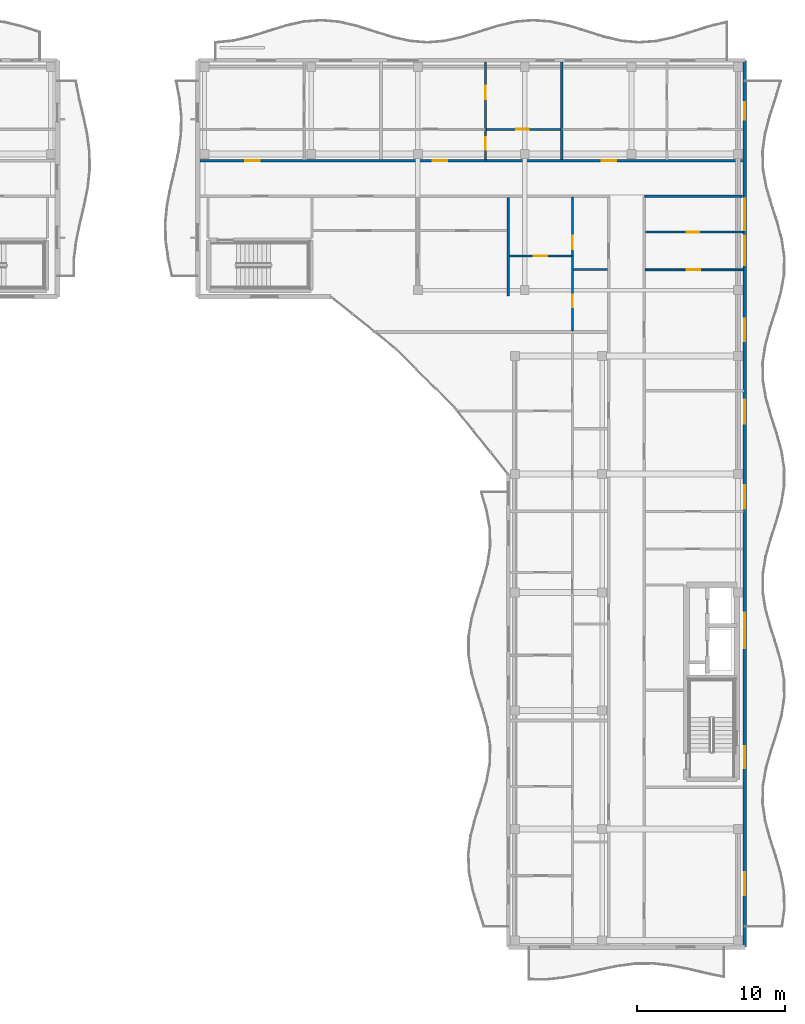
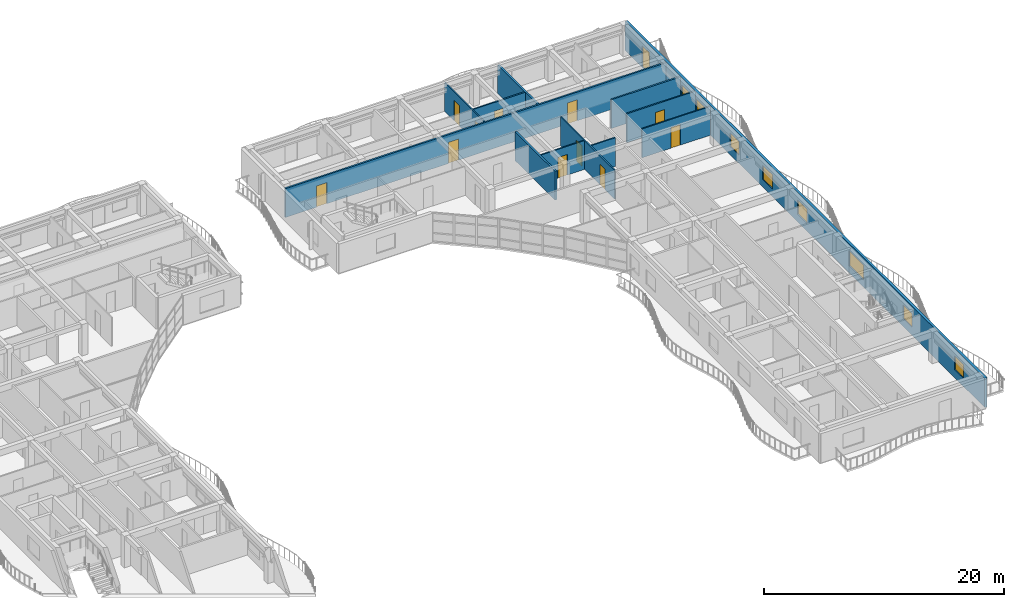
# One storey, part 46 of 76: 12 doors, 12 walls, 8 windows, 20 openings.
"""IFC4 building model written with IfcOpenShell, lengths in metres."""

import ifcopenshell
import ifcopenshell.guid

model = None  # the IFC model being written
_history = None  # IfcOwnerHistory: only IFC2X3 demands one
_inside = {}  # id of a spatial element -> (the spatial element, [elements in it])
_under = {}  # id of a project, library or spatial element -> (it, [spatial elements below it])
_declared = {}  # id of a project -> (the project, [libraries it declares])
_typed = {}  # id of a type object -> (the type object, [elements of that type])
_made_of = {}  # id of a material, layer set ... -> (it, [elements and type objects made of it])


def new_model(schema):
    """Start an empty IFC model of exactly this schema.

    Asked for "IFC4X3", IfcOpenShell would pick the latest addendum, in which some entities
    have other attributes; the version numbers below select the first issue.
    IFC2X3 requires an IfcOwnerHistory on every rooted entity: one is made here for all.
    """
    global model, _history
    if schema == "IFC4X3":
        model = ifcopenshell.file(schema_version=(4, 3, 0, 0))
    else:
        model = ifcopenshell.file(schema=schema)
    _inside.clear()
    _under.clear()
    _declared.clear()
    _typed.clear()
    _made_of.clear()
    _history = None
    if model.schema == "IFC2X3":
        org = make("IfcOrganization", Name="unknown")
        user = make(
            "IfcPersonAndOrganization",
            ThePerson=make("IfcPerson", FamilyName="unknown"),
            TheOrganization=org,
        )
        app = make(
            "IfcApplication",
            ApplicationDeveloper=org,
            Version="unknown",
            ApplicationFullName="unknown",
            ApplicationIdentifier="unknown",
        )
        _history = make(
            "IfcOwnerHistory",
            OwningUser=user,
            OwningApplication=app,
            ChangeAction="ADDED",
            CreationDate=0,
        )
    return model


def make(cls, **values):
    """One entity of the class cls with the attributes given. An attribute that is None is left unset."""
    return model.create_entity(
        cls, **{name: value for name, value in values.items() if value is not None}
    )


def rooted(cls, **values):
    """An entity with a GlobalId (a new one), such as an element, a storey or a relation."""
    return make(cls, GlobalId=ifcopenshell.guid.new(), OwnerHistory=_history, **values)


def si_unit(unit_type, name, prefix=None):
    """IfcSIUnit, for example si_unit("LENGTHUNIT", "METRE", prefix="MILLI")."""
    return make("IfcSIUnit", UnitType=unit_type, Prefix=prefix, Name=name)


def assignment(units):
    """IfcUnitAssignment: the units of a project."""
    return None if units is None else make("IfcUnitAssignment", Units=units)


def point(xyz):
    """IfcCartesianPoint."""
    return None if xyz is None else make("IfcCartesianPoint", Coordinates=xyz)


def direction(xyz):
    """IfcDirection."""
    return None if xyz is None else make("IfcDirection", DirectionRatios=xyz)


def frame(location, z_axis=None, x_axis=None):
    """IfcAxis2Placement3D, a coordinate frame: its origin and axes. An axis left out is left unset."""
    return make(
        "IfcAxis2Placement3D",
        Location=point(location),
        Axis=direction(z_axis),
        RefDirection=direction(x_axis),
    )


def frame_2d(location, x_axis=None):
    """IfcAxis2Placement2D, a coordinate frame in the plane: its origin and x axis."""
    return make(
        "IfcAxis2Placement2D", Location=point(location), RefDirection=direction(x_axis)
    )


def origin():
    """The frame at (0, 0, 0) with its axes left unset."""
    return frame((0.0, 0.0, 0.0))


def place(relative_to, where):
    """IfcLocalPlacement: puts the frame where relative to a parent placement (None: the world)."""
    return make(
        "IfcLocalPlacement", PlacementRelTo=relative_to, RelativePlacement=where
    )


def context(
    kind, dimensions, precision=None, world=None, true_north=None, identifier=None
):
    """IfcGeometricRepresentationContext, for example the 3D "Model" context."""
    return make(
        "IfcGeometricRepresentationContext",
        ContextIdentifier=identifier,
        ContextType=kind,
        CoordinateSpaceDimension=dimensions,
        Precision=precision,
        WorldCoordinateSystem=world,
        TrueNorth=true_north,
    )


def subcontext(parent, identifier, kind, view, scale=None):
    """IfcGeometricRepresentationSubContext, for example "Body" below "Model"."""
    return make(
        "IfcGeometricRepresentationSubContext",
        ContextIdentifier=identifier,
        ContextType=kind,
        ParentContext=parent,
        TargetScale=scale,
        TargetView=view,
    )


def project(units=None, contexts=None):
    """IfcProject with its units and contexts."""
    return rooted(
        "IfcProject",
        Name="project",
        RepresentationContexts=contexts,
        UnitsInContext=assignment(units),
    )


def spatial(cls, under=None, at=None, **own):
    """A site, building, storey or space (cls), placed at a placement, below another one or the project."""
    s = rooted(cls, ObjectPlacement=at, **own)
    if under is not None:
        _under.setdefault(under.id(), (under, []))[1].append(s)
    return s


def profile(cls, at=None, kind="AREA", **sizes):
    """A parametric profile (cls). Its sizes go by their IFC names, for example OverallWidth=200.0."""
    return make(cls, ProfileType=kind, Position=at, **sizes)


def rectangle(**sizes):
    """IfcRectangleProfileDef."""
    return profile("IfcRectangleProfileDef", **sizes)


def extrude(swept, where, along, depth):
    """IfcExtrudedAreaSolid: the profile swept, set in the frame where, extruded along a direction by depth."""
    return make(
        "IfcExtrudedAreaSolid",
        SweptArea=swept,
        Position=where,
        ExtrudedDirection=direction(along),
        Depth=depth,
    )


def shape(context_of_items, identifier, shape_type, items):
    """IfcShapeRepresentation: the items that make up one representation, for example the "Body"."""
    return make(
        "IfcShapeRepresentation",
        ContextOfItems=context_of_items,
        RepresentationIdentifier=identifier,
        RepresentationType=shape_type,
        Items=items,
    )


def material(Name=None, Category=None):
    """IfcMaterial."""
    return make("IfcMaterial", Name=Name, Category=Category)


def layer(
    of_material, thickness, ventilated=None, Name=None, Category=None, Priority=None
):
    """IfcMaterialLayer: one layer of a wall or slab, of a material (None: an air gap)."""
    return make(
        "IfcMaterialLayer",
        Material=of_material,
        LayerThickness=thickness,
        IsVentilated=ventilated,
        Name=Name,
        Category=Category,
        Priority=Priority,
    )


def layer_set(layers, Name=None):
    """IfcMaterialLayerSet."""
    return make("IfcMaterialLayerSet", MaterialLayers=layers, LayerSetName=Name)


def made_of(thing, what):
    """Note that an element or type object is made of a material, layer set ...; save() writes the relation."""
    if what is not None:
        _made_of.setdefault(what.id(), (what, []))[1].append(thing)
    return thing


def type_object(cls, material=None, **own):
    """A type object (cls), such as IfcWallType, which elements share."""
    return made_of(rooted(cls, **own), material)


def element(
    cls,
    number,
    at=None,
    inside=None,
    cuts=None,
    type_object=None,
    material=None,
    context=None,
    identifier="Body",
    shape_type=None,
    held_by="IfcProductDefinitionShape",
    body=None,
    shapes=None,
    **own,
):
    """One element of the class cls, such as IfcWall. Its Tag is "e" and its number.

    at: its placement. inside: the storey or other place that contains it. cuts: it is an
    opening in that element (IfcRelVoidsElement). A single representation is given by context,
    identifier, shape_type and body (its items); several are given by shapes. held_by: the class
    of the entity that holds the representations. save() writes the other relations.
    """
    e = rooted(cls, Tag="e%d" % number, ObjectPlacement=at, **own)
    if body is not None:
        shapes = [shape(context, identifier, shape_type, body)]
    if shapes is not None:
        e.Representation = make(held_by, Representations=shapes)
    if inside is not None:
        _inside.setdefault(inside.id(), (inside, []))[1].append(e)
    if cuts is not None:
        rooted(
            "IfcRelVoidsElement", RelatingBuildingElement=cuts, RelatedOpeningElement=e
        )
    if type_object is not None:
        _typed.setdefault(type_object.id(), (type_object, []))[1].append(e)
    return made_of(e, material)


def fill(opening, filler):
    """IfcRelFillsElement: the door or window that sits in an opening."""
    return rooted(
        "IfcRelFillsElement",
        RelatingOpeningElement=opening,
        RelatedBuildingElement=filler,
    )


def aggregate(whole, parts):
    """IfcRelAggregates: a whole, such as a stair, and the parts it consists of."""
    return rooted("IfcRelAggregates", RelatingObject=whole, RelatedObjects=parts)


def save(model, path):
    """Write the relations noted so far, then the file.

    IfcRelAggregates (storeys below a building ...), IfcRelContainedInSpatialStructure (elements
    in a storey), IfcRelDefinesByType, IfcRelAssociatesMaterial and IfcRelDeclares: one each for
    every whole, place, type object, material and project.
    """
    for whole, parts in _under.values():
        aggregate(whole, parts)
    for where, things in _inside.values():
        rooted(
            "IfcRelContainedInSpatialStructure",
            RelatedElements=things,
            RelatingStructure=where,
        )
    for kind, things in _typed.values():
        rooted("IfcRelDefinesByType", RelatedObjects=things, RelatingType=kind)
    for what, things in _made_of.values():
        rooted("IfcRelAssociatesMaterial", RelatedObjects=things, RelatingMaterial=what)
    for by, libraries in _declared.values():
        rooted("IfcRelDeclares", RelatingContext=by, RelatedDefinitions=libraries)
    model.write(path)


model = new_model("IFC4")

# Units and contexts
model_context = context("Model", 3, precision=1e-05, world=origin(), true_north=direction((0.0, 1.0)))
body_context = subcontext(model_context, "Body", "Model", "MODEL_VIEW")
ifc_project = project(units=[si_unit("LENGTHUNIT", "METRE"), si_unit("AREAUNIT", "SQUARE_METRE"), si_unit("VOLUMEUNIT", "CUBIC_METRE"), si_unit("PLANEANGLEUNIT", "RADIAN"), si_unit("MASSUNIT", "GRAM", prefix="KILO")], contexts=[model_context])

# Site, building, storey
site_placement = place(None, origin())
site = spatial("IfcSite", under=ifc_project, at=site_placement, CompositionType="ELEMENT")
building_placement = place(site_placement, origin())
building = spatial("IfcBuilding", under=site, at=building_placement, Name="Keldmere Railside Commons", CompositionType="ELEMENT")
storey_placement = place(building_placement, frame((0.0, 0.0, 13.760009765625)))
storey = spatial("IfcBuildingStorey", under=building, at=storey_placement, Name="L04", CompositionType="ELEMENT", Elevation=13.760009765625)

# Walls
ifc_material_1 = material(Name="Acoustic Gypsum Board Partition", Category="gypsum")
ifc_layer_1 = layer(ifc_material_1, 0.179931640625, Name="Acoustic Demising Partition 180")
ifc_layer_set_1 = layer_set([ifc_layer_1], Name="Acoustic Gypsum Board Partition")
wall_type_1 = type_object("IfcWallType", Name="Acoustic Demising Partition 180", PredefinedType="PARTITIONING", material=ifc_layer_set_1)
wall_1_placement = place(storey_placement, frame((168.0, 100.050048828125, 0.0), z_axis=(0.0, 0.0, 1.0), x_axis=(0.0, 1.0, 0.0)))
element("IfcWall", 1, at=wall_1_placement, inside=storey, type_object=wall_type_1, Name="IW-1 IW-L04-1554", PredefinedType="PARTITIONING", context=body_context, shape_type="SweptSolid", body=[
    extrude(rectangle(XDim=6.669921875, YDim=0.179931640625, at=frame_2d((3.3349609375, 0.0))), origin(), (0.0, 0.0, 1.0), 2.93505859375),
])
wall_2_placement = place(storey_placement, frame((171.610107421875, 109.280029296875, 0.0), z_axis=(0.0, 0.0, 1.0), x_axis=(0.0, 1.0, 0.0)))
element("IfcWall", 2, at=wall_2_placement, inside=storey, type_object=wall_type_1, Name="IW-1 IW-L04-1575", PredefinedType="PARTITIONING", context=body_context, shape_type="SweptSolid", body=[
    extrude(rectangle(XDim=6.599853515625, YDim=0.179931640625, at=frame_2d((3.2998046875, 0.0))), origin(), (0.0, 0.0, 1.0), 2.93505859375),
])

# Wall, openings, doors
ifc_layer_2 = layer(ifc_material_1, 0.1201171875, Name="Apartment Interior Partition 120")
ifc_layer_set_2 = layer_set([ifc_layer_2], Name="Acoustic Gypsum Board Partition")
wall_type_2 = type_object("IfcWallType", Name="Apartment Interior Partition 120", PredefinedType="PARTITIONING", material=ifc_layer_set_2)
wall_3_placement = place(storey_placement, frame((172.340087890625, 97.7099609375, 0.0), z_axis=(0.0, 0.0, 1.0), x_axis=(0.0, 1.0, 0.0)))
wall_3 = element("IfcWall", 3, at=wall_3_placement, inside=storey, type_object=wall_type_2, Name="IW-4 IW-L04-1571", PredefinedType="PARTITIONING", context=body_context, shape_type="SweptSolid", body=[
    extrude(rectangle(XDim=9.010009765625, YDim=0.1201171875, at=frame_2d((4.5048828125, 0.0))), origin(), (0.0, 0.0, 1.0), 2.93505859375),
])
opening_1_placement = place(wall_3_placement, frame((1.5732421875, 0.0, 0.0)))
opening_1 = element("IfcOpeningElement", 4, at=opening_1_placement, cuts=wall_3, Name="Opening ID-04", PredefinedType="OPENING", context=body_context, shape_type="SweptSolid", body=[
    extrude(rectangle(XDim=0.860107421875, YDim=2.10009765625, at=frame_2d((0.43017578125, 1.050048828125))), frame((0.0, 0.070068359375, 0.0), z_axis=(0.0, -1.0, 0.0), x_axis=(1.0, 0.0, 0.0)), (0.0, 0.0, 1.0), 0.14013671875),
])
opening_2_placement = place(wall_3_placement, frame((5.503662109375, 0.0, 0.0)))
opening_2 = element("IfcOpeningElement", 5, at=opening_2_placement, cuts=wall_3, Name="Opening ID-03", PredefinedType="OPENING", context=body_context, shape_type="SweptSolid", body=[
    extrude(rectangle(XDim=0.919921875, YDim=2.10009765625, at=frame_2d((0.4599609375, 1.050048828125))), frame((0.0, 0.070068359375, 0.0), z_axis=(0.0, -1.0, 0.0), x_axis=(1.0, 0.0, 0.0)), (0.0, 0.0, 1.0), 0.14013671875),
])
ifc_material_2 = material(Name="Engineered Oak Timber", Category="wood")
door_type_1 = type_object("IfcDoorType", Name="Apartment Bathroom Door 860x2100", OperationType="NOTDEFINED", PredefinedType="DOOR", material=ifc_material_2)
door_1_placement = place(opening_1_placement, origin())
door_1 = element("IfcDoor", 6, at=door_1_placement, inside=storey, type_object=door_type_1, Name="ID-04 IDR-L04-1415", OperationType="SINGLE_SWING_LEFT", OverallHeight=2.10009765625, OverallWidth=0.860107421875, PredefinedType="DOOR", context=body_context, shape_type="SweptSolid", body=[
    extrude(rectangle(XDim=0.860107421875, YDim=2.10009765625, at=frame_2d((0.43017578125, 1.050048828125))), frame((0.0, 0.02490234375, 0.0), z_axis=(0.0, -1.0, 0.0), x_axis=(1.0, 0.0, 0.0)), (0.0, 0.0, 1.0), 0.050048828125),
])
fill(opening_1, door_1)
door_type_2 = type_object("IfcDoorType", Name="Kitchen Pocket-Frame Swing Door 920x2100", OperationType="NOTDEFINED", PredefinedType="DOOR", material=ifc_material_2)
door_2_placement = place(opening_2_placement, origin())
door_2 = element("IfcDoor", 7, at=door_2_placement, inside=storey, type_object=door_type_2, Name="ID-03 IDR-L04-1416", OperationType="SINGLE_SWING_RIGHT", OverallHeight=2.10009765625, OverallWidth=0.919921875, PredefinedType="DOOR", context=body_context, shape_type="SweptSolid", body=[
    extrude(rectangle(XDim=0.919921875, YDim=2.10009765625, at=frame_2d((0.4599609375, 1.050048828125))), frame((0.0, 0.02490234375, 0.0), z_axis=(0.0, -1.0, 0.0), x_axis=(1.0, 0.0, 0.0)), (0.0, 0.0, 1.0), 0.050048828125),
])
fill(opening_2, door_2)

# Wall, opening, door
wall_4_placement = place(storey_placement, frame((168.090087890625, 102.760009765625, 0.0), z_axis=(0.0, 0.0, 1.0), x_axis=(1.0, 0.0, 0.0)))
wall_4 = element("IfcWall", 8, at=wall_4_placement, inside=storey, type_object=wall_type_2, Name="IW-4 IW-L04-1573", PredefinedType="PARTITIONING", context=body_context, shape_type="SweptSolid", body=[
    extrude(rectangle(XDim=4.18994140625, YDim=0.1201171875, at=frame_2d((2.094970703125, 0.0))), origin(), (0.0, 0.0, 1.0), 2.93505859375),
])
opening_3_placement = place(wall_4_placement, frame((1.64501953125, 0.0, 0.0)))
opening_3 = element("IfcOpeningElement", 9, at=opening_3_placement, cuts=wall_4, Name="Opening ID-01", PredefinedType="OPENING", context=body_context, shape_type="SweptSolid", body=[
    extrude(rectangle(XDim=0.89990234375, YDim=2.10009765625, at=frame_2d((0.449951171875, 1.050048828125))), frame((0.0, 0.070068359375, 0.0), z_axis=(0.0, -1.0, 0.0), x_axis=(1.0, 0.0, 0.0)), (0.0, 0.0, 1.0), 0.14013671875),
])
door_type_3 = type_object("IfcDoorType", Name="Primary Bedroom Door 900x2100", OperationType="NOTDEFINED", PredefinedType="DOOR", material=ifc_material_2)
door_3_placement = place(opening_3_placement, origin())
door_3 = element("IfcDoor", 10, at=door_3_placement, inside=storey, type_object=door_type_3, Name="ID-01 IDR-L04-1418", OperationType="SINGLE_SWING_RIGHT", OverallHeight=2.10009765625, OverallWidth=0.89990234375, PredefinedType="DOOR", context=body_context, shape_type="SweptSolid", body=[
    extrude(rectangle(XDim=0.89990234375, YDim=2.10009765625, at=frame_2d((0.449951171875, 1.050048828125))), frame((0.0, 0.02490234375, 0.0), z_axis=(0.0, -1.0, 0.0), x_axis=(1.0, 0.0, 0.0)), (0.0, 0.0, 1.0), 0.050048828125),
])
fill(opening_3, door_3)

# Wall, openings, doors
wall_5_placement = place(storey_placement, frame((166.4599609375, 109.280029296875, 0.0), z_axis=(0.0, 0.0, 1.0), x_axis=(0.0, 1.0, 0.0)))
wall_5 = element("IfcWall", 11, at=wall_5_placement, inside=storey, type_object=wall_type_2, Name="IW-4 IW-L04-1579", PredefinedType="PARTITIONING", context=body_context, shape_type="SweptSolid", body=[
    extrude(rectangle(XDim=6.599853515625, YDim=0.1201171875, at=frame_2d((3.2998046875, 0.0))), origin(), (0.0, 0.0, 1.0), 2.93505859375),
])
opening_4_placement = place(wall_5_placement, frame((0.656005859375, 0.0, 0.0)))
opening_4 = element("IfcOpeningElement", 12, at=opening_4_placement, cuts=wall_5, Name="Opening ID-04", PredefinedType="OPENING", context=body_context, shape_type="SweptSolid", body=[
    extrude(rectangle(XDim=0.860107421875, YDim=2.10009765625, at=frame_2d((0.43017578125, 1.050048828125))), frame((0.0, 0.070068359375, 0.0), z_axis=(0.0, -1.0, 0.0), x_axis=(1.0, 0.0, 0.0)), (0.0, 0.0, 1.0), 0.14013671875),
])
opening_5_placement = place(wall_5_placement, frame((4.097412109375, 0.0, 0.0)))
opening_5 = element("IfcOpeningElement", 13, at=opening_5_placement, cuts=wall_5, Name="Opening ID-01", PredefinedType="OPENING", context=body_context, shape_type="SweptSolid", body=[
    extrude(rectangle(XDim=0.89990234375, YDim=2.10009765625, at=frame_2d((0.449951171875, 1.050048828125))), frame((0.0, 0.070068359375, 0.0), z_axis=(0.0, -1.0, 0.0), x_axis=(1.0, 0.0, 0.0)), (0.0, 0.0, 1.0), 0.14013671875),
])
door_4_placement = place(opening_4_placement, origin())
door_4 = element("IfcDoor", 14, at=door_4_placement, inside=storey, type_object=door_type_1, Name="ID-04 IDR-L04-1426", OperationType="SINGLE_SWING_RIGHT", OverallHeight=2.10009765625, OverallWidth=0.860107421875, PredefinedType="DOOR", context=body_context, shape_type="SweptSolid", body=[
    extrude(rectangle(XDim=0.860107421875, YDim=2.10009765625, at=frame_2d((0.43017578125, 1.050048828125))), frame((0.0, 0.02490234375, 0.0), z_axis=(0.0, -1.0, 0.0), x_axis=(1.0, 0.0, 0.0)), (0.0, 0.0, 1.0), 0.050048828125),
])
fill(opening_4, door_4)
door_5_placement = place(opening_5_placement, origin())
door_5 = element("IfcDoor", 15, at=door_5_placement, inside=storey, type_object=door_type_3, Name="ID-01 IDR-L04-1427", OperationType="SINGLE_SWING_LEFT", OverallHeight=2.10009765625, OverallWidth=0.89990234375, PredefinedType="DOOR", context=body_context, shape_type="SweptSolid", body=[
    extrude(rectangle(XDim=0.89990234375, YDim=2.10009765625, at=frame_2d((0.449951171875, 1.050048828125))), frame((0.0, 0.02490234375, 0.0), z_axis=(0.0, -1.0, 0.0), x_axis=(1.0, 0.0, 0.0)), (0.0, 0.0, 1.0), 0.050048828125),
])
fill(opening_5, door_5)

# Wall, opening, door
wall_6_placement = place(storey_placement, frame((177.280029296875, 101.820068359375, 0.0), z_axis=(0.0, 0.0, 1.0), x_axis=(1.0, 0.0, 0.0)))
wall_6 = element("IfcWall", 16, at=wall_6_placement, inside=storey, type_object=wall_type_2, Name="IW-4 IW-L04-1591", PredefinedType="PARTITIONING", context=body_context, shape_type="SweptSolid", body=[
    extrude(rectangle(XDim=6.6298828125, YDim=0.1201171875, at=frame_2d((3.31494140625, 0.0))), origin(), (0.0, 0.0, 1.0), 2.93505859375),
])
opening_6_placement = place(wall_6_placement, frame((2.78466796875, 0.0, 0.0)))
opening_6 = element("IfcOpeningElement", 17, at=opening_6_placement, cuts=wall_6, Name="Opening ID-03", PredefinedType="OPENING", context=body_context, shape_type="SweptSolid", body=[
    extrude(rectangle(XDim=0.919921875, YDim=2.10009765625, at=frame_2d((0.4599609375, 1.050048828125))), frame((0.0, 0.070068359375, 0.0), z_axis=(0.0, -1.0, 0.0), x_axis=(1.0, 0.0, 0.0)), (0.0, 0.0, 1.0), 0.14013671875),
])
door_6_placement = place(opening_6_placement, origin())
door_6 = element("IfcDoor", 18, at=door_6_placement, inside=storey, type_object=door_type_2, Name="ID-03 IDR-L04-1443", OperationType="SINGLE_SWING_LEFT", OverallHeight=2.10009765625, OverallWidth=0.919921875, PredefinedType="DOOR", context=body_context, shape_type="SweptSolid", body=[
    extrude(rectangle(XDim=0.919921875, YDim=2.10009765625, at=frame_2d((0.4599609375, 1.050048828125))), frame((0.0, 0.02490234375, 0.0), z_axis=(0.0, -1.0, 0.0), x_axis=(1.0, 0.0, 0.0)), (0.0, 0.0, 1.0), 0.050048828125),
])
fill(opening_6, door_6)

# Wall
ifc_layer_3 = layer(ifc_material_1, 0.159912109375, Name="Corridor Fire Partition 160")
ifc_layer_set_3 = layer_set([ifc_layer_3], Name="Acoustic Gypsum Board Partition")
wall_type_3 = type_object("IfcWallType", Name="Corridor Fire Partition 160", PredefinedType="PARTITIONING", material=ifc_layer_set_3)
wall_7_placement = place(storey_placement, frame((177.199951171875, 106.800048828125, 0.0), z_axis=(0.0, 0.0, 1.0), x_axis=(1.0, 0.0, 0.0)))
element("IfcWall", 19, at=wall_7_placement, inside=storey, type_object=wall_type_3, Name="IW-2 IW-L04-1552", PredefinedType="PARTITIONING", context=body_context, shape_type="SweptSolid", body=[
    extrude(rectangle(XDim=6.64013671875, YDim=0.159912109375, at=frame_2d((3.320068359375, 0.0))), origin(), (0.0, 0.0, 1.0), 2.93505859375),
])

# Wall, openings, doors
wall_8_placement = place(storey_placement, frame((147.159912109375, 109.199951171875, 0.0), z_axis=(0.0, 0.0, 1.0), x_axis=(1.0, 0.0, 0.0)))
wall_8 = element("IfcWall", 20, at=wall_8_placement, inside=storey, type_object=wall_type_3, Name="IW-2 IW-L04-1553", PredefinedType="PARTITIONING", context=body_context, shape_type="SweptSolid", body=[
    extrude(rectangle(XDim=36.68017578125, YDim=0.159912109375, at=frame_2d((18.340087890625, 0.0))), origin(), (0.0, 0.0, 1.0), 2.93505859375),
])
opening_7_placement = place(wall_8_placement, frame((3.030029296875, 0.0, 0.0)))
opening_7 = element("IfcOpeningElement", 21, at=opening_7_placement, cuts=wall_8, Name="Opening FD-7", PredefinedType="OPENING", context=body_context, shape_type="SweptSolid", body=[
    extrude(rectangle(XDim=0.97998046875, YDim=2.14990234375, at=frame_2d((0.489990234375, 1.074951171875))), frame((0.0, 0.08984375, 0.0), z_axis=(0.0, -1.0, 0.0), x_axis=(1.0, 0.0, 0.0)), (0.0, 0.0, 1.0), 0.179931640625),
])
opening_8_placement = place(wall_8_placement, frame((15.719970703125, 0.0, 0.0)))
opening_8 = element("IfcOpeningElement", 22, at=opening_8_placement, cuts=wall_8, Name="Opening FD-7", PredefinedType="OPENING", context=body_context, shape_type="SweptSolid", body=[
    extrude(rectangle(XDim=0.97998046875, YDim=2.14990234375, at=frame_2d((0.489990234375, 1.074951171875))), frame((0.0, 0.08984375, 0.0), z_axis=(0.0, -1.0, 0.0), x_axis=(1.0, 0.0, 0.0)), (0.0, 0.0, 1.0), 0.179931640625),
])
opening_9_placement = place(wall_8_placement, frame((27.169921875, 0.0, 0.0)))
opening_9 = element("IfcOpeningElement", 23, at=opening_9_placement, cuts=wall_8, Name="Opening FD-7", PredefinedType="OPENING", context=body_context, shape_type="SweptSolid", body=[
    extrude(rectangle(XDim=0.97998046875, YDim=2.14990234375, at=frame_2d((0.489990234375, 1.074951171875))), frame((0.0, 0.08984375, 0.0), z_axis=(0.0, -1.0, 0.0), x_axis=(1.0, 0.0, 0.0)), (0.0, 0.0, 1.0), 0.179931640625),
])
door_type_4 = type_object("IfcDoorType", Name="Apartment Entrance Acoustic Fire Door 980x2150", OperationType="NOTDEFINED", PredefinedType="DOOR", material=ifc_material_2)
door_7_placement = place(opening_7_placement, origin())
door_7 = element("IfcDoor", 24, at=door_7_placement, inside=storey, type_object=door_type_4, Name="FD-7 IDR-L04-1419", OperationType="SINGLE_SWING_LEFT", OverallHeight=2.14990234375, OverallWidth=0.97998046875, PredefinedType="DOOR", context=body_context, shape_type="SweptSolid", body=[
    extrude(rectangle(XDim=0.97998046875, YDim=2.14990234375, at=frame_2d((0.489990234375, 1.074951171875))), frame((0.0, 0.02490234375, 0.0), z_axis=(0.0, -1.0, 0.0), x_axis=(1.0, 0.0, 0.0)), (0.0, 0.0, 1.0), 0.050048828125),
])
fill(opening_7, door_7)
door_8_placement = place(opening_8_placement, origin())
door_8 = element("IfcDoor", 25, at=door_8_placement, inside=storey, type_object=door_type_4, Name="FD-7 IDR-L04-1424", OperationType="SINGLE_SWING_RIGHT", OverallHeight=2.14990234375, OverallWidth=0.97998046875, PredefinedType="DOOR", context=body_context, shape_type="SweptSolid", body=[
    extrude(rectangle(XDim=0.97998046875, YDim=2.14990234375, at=frame_2d((0.489990234375, 1.074951171875))), frame((0.0, 0.02490234375, 0.0), z_axis=(0.0, -1.0, 0.0), x_axis=(1.0, 0.0, 0.0)), (0.0, 0.0, 1.0), 0.050048828125),
])
fill(opening_8, door_8)
door_9_placement = place(opening_9_placement, origin())
door_9 = element("IfcDoor", 26, at=door_9_placement, inside=storey, type_object=door_type_4, Name="FD-7 IDR-L04-1429", OperationType="SINGLE_SWING_LEFT", OverallHeight=2.14990234375, OverallWidth=0.97998046875, PredefinedType="DOOR", context=body_context, shape_type="SweptSolid", body=[
    extrude(rectangle(XDim=0.97998046875, YDim=2.14990234375, at=frame_2d((0.489990234375, 1.074951171875))), frame((0.0, 0.02490234375, 0.0), z_axis=(0.0, -1.0, 0.0), x_axis=(1.0, 0.0, 0.0)), (0.0, 0.0, 1.0), 0.050048828125),
])
fill(opening_9, door_9)

# Wall, openings, door, windows
ifc_material_3 = material(Name="Architectural Precast Concrete H-35 (C35/45)", Category="concrete")
ifc_layer_4 = layer(ifc_material_3, 0.239990234375, Name="Sand-Ochre Precast Cavity Wall 240")
ifc_layer_set_4 = layer_set([ifc_layer_4], Name="Architectural Precast Concrete H-35 (C35/45)")
wall_type_4 = type_object("IfcWallType", Name="Sand-Ochre Precast Cavity Wall 240", PredefinedType="SOLIDWALL", material=ifc_layer_set_4)
wall_9_placement = place(storey_placement, frame((184.0, 116.0, 0.0), z_axis=(0.0, 0.0, 1.0), x_axis=(0.0, -1.0, 0.0)))
wall_9 = element("IfcWall", 27, at=wall_9_placement, inside=storey, type_object=wall_type_4, Name="EW-2 EXTA-L04-0904", PredefinedType="SOLIDWALL", context=body_context, shape_type="SweptSolid", body=[
    extrude(rectangle(XDim=60.0, YDim=0.239990234375, at=frame_2d((30.0, 0.0))), origin(), (0.0, 0.0, 1.0), 2.97998046875),
])
opening_10_placement = place(wall_9_placement, frame((2.835693359375, 0.0, 0.0)))
opening_10 = element("IfcOpeningElement", 28, at=opening_10_placement, cuts=wall_9, Name="Opening BD-01", PredefinedType="OPENING", context=body_context, shape_type="SweptSolid", body=[
    extrude(rectangle(XDim=1.199951171875, YDim=2.199951171875, at=frame_2d((0.60009765625, 1.10009765625))), frame((0.0, 0.1298828125, 0.0), z_axis=(0.0, -1.0, 0.0), x_axis=(1.0, 0.0, 0.0)), (0.0, 0.0, 1.0), 0.260009765625),
])
opening_11_placement = place(wall_9_placement, frame((9.3857421875, 0.0, 0.669921875)))
opening_11 = element("IfcOpeningElement", 29, at=opening_11_placement, cuts=wall_9, Name="Opening WN-11", PredefinedType="OPENING", context=body_context, shape_type="SweptSolid", body=[
    extrude(rectangle(XDim=2.10009765625, YDim=1.550048828125, at=frame_2d((1.050048828125, 0.77490234375))), frame((0.0, 0.1298828125, 0.0), z_axis=(0.0, -1.0, 0.0), x_axis=(1.0, 0.0, 0.0)), (0.0, 0.0, 1.0), 0.260009765625),
])
opening_12_placement = place(wall_9_placement, frame((11.857177734375, 0.0, 0.719970703125)))
opening_12 = element("IfcOpeningElement", 30, at=opening_12_placement, cuts=wall_9, Name="Opening WN-02", PredefinedType="OPENING", context=body_context, shape_type="SweptSolid", body=[
    extrude(rectangle(XDim=2.0, YDim=1.5, at=frame_2d((1.0, 0.75))), frame((0.0, 0.1298828125, 0.0), z_axis=(0.0, -1.0, 0.0), x_axis=(1.0, 0.0, 0.0)), (0.0, 0.0, 1.0), 0.260009765625),
])
opening_13_placement = place(wall_9_placement, frame((22.95361328125, 0.0, 0.77001953125)))
opening_13 = element("IfcOpeningElement", 31, at=opening_13_placement, cuts=wall_9, Name="Opening WN-03", PredefinedType="OPENING", context=body_context, shape_type="SweptSolid", body=[
    extrude(rectangle(XDim=1.64990234375, YDim=1.449951171875, at=frame_2d((0.824951171875, 0.72509765625))), frame((0.0, 0.1298828125, 0.0), z_axis=(0.0, -1.0, 0.0), x_axis=(1.0, 0.0, 0.0)), (0.0, 0.0, 1.0), 0.260009765625),
])
opening_14_placement = place(wall_9_placement, frame((28.75, 0.0, 0.77001953125)))
opening_14 = element("IfcOpeningElement", 32, at=opening_14_placement, cuts=wall_9, Name="Opening WN-04", PredefinedType="OPENING", context=body_context, shape_type="SweptSolid", body=[
    extrude(rectangle(XDim=1.60009765625, YDim=1.449951171875, at=frame_2d((0.800048828125, 0.72509765625))), frame((0.0, 0.1298828125, 0.0), z_axis=(0.0, -1.0, 0.0), x_axis=(1.0, 0.0, 0.0)), (0.0, 0.0, 1.0), 0.260009765625),
])
opening_15_placement = place(wall_9_placement, frame((37.371337890625, 0.0, 0.719970703125)))
opening_15 = element("IfcOpeningElement", 33, at=opening_15_placement, cuts=wall_9, Name="Opening WN-05", PredefinedType="OPENING", context=body_context, shape_type="SweptSolid", body=[
    extrude(rectangle(XDim=2.39990234375, YDim=1.5, at=frame_2d((1.199951171875, 0.75))), frame((0.0, 0.1298828125, 0.0), z_axis=(0.0, -1.0, 0.0), x_axis=(1.0, 0.0, 0.0)), (0.0, 0.0, 1.0), 0.260009765625),
])
opening_16_placement = place(wall_9_placement, frame((46.392822265625, 0.0, 0.820068359375)))
opening_16 = element("IfcOpeningElement", 34, at=opening_16_placement, cuts=wall_9, Name="Opening WN-06", PredefinedType="OPENING", context=body_context, shape_type="SweptSolid", body=[
    extrude(rectangle(XDim=1.5, YDim=1.39990234375, at=frame_2d((0.75, 0.699951171875))), frame((0.0, 0.1298828125, 0.0), z_axis=(0.0, -1.0, 0.0), x_axis=(1.0, 0.0, 0.0)), (0.0, 0.0, 1.0), 0.260009765625),
])
opening_17_placement = place(wall_9_placement, frame((54.939208984375, 0.0, 0.820068359375)))
opening_17 = element("IfcOpeningElement", 35, at=opening_17_placement, cuts=wall_9, Name="Opening WN-07", PredefinedType="OPENING", context=body_context, shape_type="SweptSolid", body=[
    extrude(rectangle(XDim=1.550048828125, YDim=1.39990234375, at=frame_2d((0.77490234375, 0.699951171875))), frame((0.0, 0.1298828125, 0.0), z_axis=(0.0, -1.0, 0.0), x_axis=(1.0, 0.0, 0.0)), (0.0, 0.0, 1.0), 0.260009765625),
])
opening_18_placement = place(wall_9_placement, frame((17.4951171875, 0.0, 0.820068359375)))
opening_18 = element("IfcOpeningElement", 36, at=opening_18_placement, cuts=wall_9, Name="Opening WN-06", PredefinedType="OPENING", context=body_context, shape_type="SweptSolid", body=[
    extrude(rectangle(XDim=1.5, YDim=1.39990234375, at=frame_2d((0.75, 0.699951171875))), frame((0.0, 0.1298828125, 0.0), z_axis=(0.0, -1.0, 0.0), x_axis=(1.0, 0.0, 0.0)), (0.0, 0.0, 1.0), 0.260009765625),
])
ifc_material_4 = material(Name="Thermally Broken Aluminium", Category="aluminium")
door_type_5 = type_object("IfcDoorType", Name="Apartment Living Wave-Balcony Glazed Door 1200x2200", OperationType="NOTDEFINED", PredefinedType="DOOR", material=ifc_material_4)
door_10_placement = place(opening_10_placement, origin())
door_10 = element("IfcDoor", 37, at=door_10_placement, inside=storey, type_object=door_type_5, Name="BD-01 DR-L04-0239", OperationType="SINGLE_SWING_LEFT", OverallHeight=2.199951171875, OverallWidth=1.199951171875, PredefinedType="DOOR", context=body_context, shape_type="SweptSolid", body=[
    extrude(rectangle(XDim=1.199951171875, YDim=2.199951171875, at=frame_2d((0.60009765625, 1.10009765625))), frame((0.0, 0.02490234375, 0.0), z_axis=(0.0, -1.0, 0.0), x_axis=(1.0, 0.0, 0.0)), (0.0, 0.0, 1.0), 0.050048828125),
])
fill(opening_10, door_10)
ifc_material_5 = material(Name="Low-E Insulated Double Glazing", Category="glass")
window_type_1 = type_object("IfcWindowType", Name="Corner Dual-Aspect Ribbon Window 2400x1500", PartitioningType="SINGLE_PANEL", PredefinedType="WINDOW", material=ifc_material_5)
window_1_placement = place(opening_15_placement, origin())
window_1 = element("IfcWindow", 38, at=window_1_placement, inside=storey, type_object=window_type_1, Name="WN-05 WIN-L04-0649", OverallHeight=1.5, OverallWidth=2.39990234375, PartitioningType="SINGLE_PANEL", PredefinedType="WINDOW", context=body_context, shape_type="SweptSolid", body=[
    extrude(rectangle(XDim=2.39990234375, YDim=1.5, at=frame_2d((1.199951171875, 0.75))), frame((0.0, 0.030029296875, 0.0), z_axis=(0.0, -1.0, 0.0), x_axis=(1.0, 0.0, 0.0)), (0.0, 0.0, 1.0), 0.06005859375),
])
fill(opening_15, window_1)
window_type_2 = type_object("IfcWindowType", Name="Living Room East Shaded Window 1650x1450", PartitioningType="SINGLE_PANEL", PredefinedType="WINDOW", material=ifc_material_5)
window_2_placement = place(opening_13_placement, origin())
window_2 = element("IfcWindow", 39, at=window_2_placement, inside=storey, type_object=window_type_2, Name="WN-03 WIN-L04-0647", OverallHeight=1.449951171875, OverallWidth=1.64990234375, PartitioningType="SINGLE_PANEL", PredefinedType="WINDOW", context=body_context, shape_type="SweptSolid", body=[
    extrude(rectangle(XDim=1.64990234375, YDim=1.449951171875, at=frame_2d((0.824951171875, 0.72509765625))), frame((0.0, 0.030029296875, 0.0), z_axis=(0.0, -1.0, 0.0), x_axis=(1.0, 0.0, 0.0)), (0.0, 0.0, 1.0), 0.06005859375),
])
fill(opening_13, window_2)
window_type_3 = type_object("IfcWindowType", Name="Living Room South Casement Window 2000x1500", PartitioningType="SINGLE_PANEL", PredefinedType="WINDOW", material=ifc_material_5)
window_3_placement = place(opening_12_placement, origin())
window_3 = element("IfcWindow", 40, at=window_3_placement, inside=storey, type_object=window_type_3, Name="WN-02 WIN-L04-0646", OverallHeight=1.5, OverallWidth=2.0, PartitioningType="SINGLE_PANEL", PredefinedType="WINDOW", context=body_context, shape_type="SweptSolid", body=[
    extrude(rectangle(XDim=2.0, YDim=1.5, at=frame_2d((1.0, 0.75))), frame((0.0, 0.030029296875, 0.0), z_axis=(0.0, -1.0, 0.0), x_axis=(1.0, 0.0, 0.0)), (0.0, 0.0, 1.0), 0.06005859375),
])
fill(opening_12, window_3)
window_type_4 = type_object("IfcWindowType", Name="Living Room West Shaded Window 1600x1450", PartitioningType="SINGLE_PANEL", PredefinedType="WINDOW", material=ifc_material_5)
window_4_placement = place(opening_14_placement, origin())
window_4 = element("IfcWindow", 41, at=window_4_placement, inside=storey, type_object=window_type_4, Name="WN-04 WIN-L04-0648", OverallHeight=1.449951171875, OverallWidth=1.60009765625, PartitioningType="SINGLE_PANEL", PredefinedType="WINDOW", context=body_context, shape_type="SweptSolid", body=[
    extrude(rectangle(XDim=1.60009765625, YDim=1.449951171875, at=frame_2d((0.800048828125, 0.72509765625))), frame((0.0, 0.030029296875, 0.0), z_axis=(0.0, -1.0, 0.0), x_axis=(1.0, 0.0, 0.0)), (0.0, 0.0, 1.0), 0.06005859375),
])
fill(opening_14, window_4)
window_type_5 = type_object("IfcWindowType", Name="Primary Bedroom North Window 1500x1400", PartitioningType="SINGLE_PANEL", PredefinedType="WINDOW", material=ifc_material_5)
window_5_placement = place(opening_16_placement, origin())
window_5 = element("IfcWindow", 42, at=window_5_placement, inside=storey, type_object=window_type_5, Name="WN-06 WIN-L04-0650", OverallHeight=1.39990234375, OverallWidth=1.5, PartitioningType="SINGLE_PANEL", PredefinedType="WINDOW", context=body_context, shape_type="SweptSolid", body=[
    extrude(rectangle(XDim=1.5, YDim=1.39990234375, at=frame_2d((0.75, 0.699951171875))), frame((0.0, 0.030029296875, 0.0), z_axis=(0.0, -1.0, 0.0), x_axis=(1.0, 0.0, 0.0)), (0.0, 0.0, 1.0), 0.06005859375),
])
fill(opening_16, window_5)
window_6_placement = place(opening_18_placement, origin())
window_6 = element("IfcWindow", 43, at=window_6_placement, inside=storey, type_object=window_type_5, Name="WN-06 WIN-L04-9037", OverallHeight=1.39990234375, OverallWidth=1.5, PartitioningType="SINGLE_PANEL", PredefinedType="WINDOW", context=body_context, shape_type="SweptSolid", body=[
    extrude(rectangle(XDim=1.5, YDim=1.39990234375, at=frame_2d((0.75, 0.699951171875))), frame((0.0, 0.030029296875, 0.0), z_axis=(0.0, -1.0, 0.0), x_axis=(1.0, 0.0, 0.0)), (0.0, 0.0, 1.0), 0.06005859375),
])
fill(opening_18, window_6)
window_type_6 = type_object("IfcWindowType", Name="Primary Bedroom South Window 1550x1400", PartitioningType="SINGLE_PANEL", PredefinedType="WINDOW", material=ifc_material_5)
window_7_placement = place(opening_17_placement, origin())
window_7 = element("IfcWindow", 44, at=window_7_placement, inside=storey, type_object=window_type_6, Name="WN-07 WIN-L04-0651", OverallHeight=1.39990234375, OverallWidth=1.550048828125, PartitioningType="SINGLE_PANEL", PredefinedType="WINDOW", context=body_context, shape_type="SweptSolid", body=[
    extrude(rectangle(XDim=1.550048828125, YDim=1.39990234375, at=frame_2d((0.77490234375, 0.699951171875))), frame((0.0, 0.030029296875, 0.0), z_axis=(0.0, -1.0, 0.0), x_axis=(1.0, 0.0, 0.0)), (0.0, 0.0, 1.0), 0.06005859375),
])
fill(opening_17, window_7)
window_type_7 = type_object("IfcWindowType", Name="Studio Wide Casement Window 2100x1550", PartitioningType="SINGLE_PANEL", PredefinedType="WINDOW", material=ifc_material_5)
window_8_placement = place(opening_11_placement, origin())
window_8 = element("IfcWindow", 45, at=window_8_placement, inside=storey, type_object=window_type_7, Name="WN-11 WIN-L04-0645", OverallHeight=1.550048828125, OverallWidth=2.10009765625, PartitioningType="SINGLE_PANEL", PredefinedType="WINDOW", context=body_context, shape_type="SweptSolid", body=[
    extrude(rectangle(XDim=2.10009765625, YDim=1.550048828125, at=frame_2d((1.050048828125, 0.77490234375))), frame((0.0, 0.030029296875, 0.0), z_axis=(0.0, -1.0, 0.0), x_axis=(1.0, 0.0, 0.0)), (0.0, 0.0, 1.0), 0.06005859375),
])
fill(opening_11, window_8)

# Wall
ifc_layer_5 = layer(ifc_material_1, 0.139892578125, Name="Wet-Room Sanitary Partition 140")
ifc_layer_set_5 = layer_set([ifc_layer_5], Name="Acoustic Gypsum Board Partition")
wall_type_5 = type_object("IfcWallType", Name="Wet-Room Sanitary Partition 140", PredefinedType="PARTITIONING", material=ifc_layer_set_5)
wall_10_placement = place(storey_placement, frame((172.39990234375, 101.85009765625, 0.0), z_axis=(0.0, 0.0, 1.0), x_axis=(1.0, 0.0, 0.0)))
element("IfcWall", 46, at=wall_10_placement, inside=storey, type_object=wall_type_5, Name="IW-5 IW-L04-1572", PredefinedType="PARTITIONING", context=body_context, shape_type="SweptSolid", body=[
    extrude(rectangle(XDim=2.320068359375, YDim=0.139892578125, at=frame_2d((1.16015625, 0.0))), origin(), (0.0, 0.0, 1.0), 2.93505859375),
])

# Wall, opening, door
wall_11_placement = place(storey_placement, frame((166.52001953125, 111.330078125, 0.0), z_axis=(0.0, 0.0, 1.0), x_axis=(1.0, 0.0, 0.0)))
wall_11 = element("IfcWall", 47, at=wall_11_placement, inside=storey, type_object=wall_type_5, Name="IW-5 IW-L04-1580", PredefinedType="PARTITIONING", context=body_context, shape_type="SweptSolid", body=[
    extrude(rectangle(XDim=5.0, YDim=0.139892578125, at=frame_2d((2.5, 0.0))), origin(), (0.0, 0.0, 1.0), 2.93505859375),
])
opening_19_placement = place(wall_11_placement, frame((2.02392578125, 0.0, 0.0)))
opening_19 = element("IfcOpeningElement", 48, at=opening_19_placement, cuts=wall_11, Name="Opening ID-06", PredefinedType="OPENING", context=body_context, shape_type="SweptSolid", body=[
    extrude(rectangle(XDim=0.85009765625, YDim=2.050048828125, at=frame_2d((0.425048828125, 1.02490234375))), frame((0.0, 0.079833984375, 0.0), z_axis=(0.0, -1.0, 0.0), x_axis=(1.0, 0.0, 0.0)), (0.0, 0.0, 1.0), 0.159912109375),
])
door_type_6 = type_object("IfcDoorType", Name="Storage Closet Door 850x2050", OperationType="NOTDEFINED", PredefinedType="DOOR", material=ifc_material_2)
door_11_placement = place(opening_19_placement, origin())
door_11 = element("IfcDoor", 49, at=door_11_placement, inside=storey, type_object=door_type_6, Name="ID-06 IDR-L04-1428", OperationType="SINGLE_SWING_RIGHT", OverallHeight=2.050048828125, OverallWidth=0.85009765625, PredefinedType="DOOR", context=body_context, shape_type="SweptSolid", body=[
    extrude(rectangle(XDim=0.85009765625, YDim=2.050048828125, at=frame_2d((0.425048828125, 1.02490234375))), frame((0.0, 0.02490234375, 0.0), z_axis=(0.0, -1.0, 0.0), x_axis=(1.0, 0.0, 0.0)), (0.0, 0.0, 1.0), 0.050048828125),
])
fill(opening_19, door_11)

wall_12_placement = place(storey_placement, frame((177.280029296875, 104.3701171875, 0.0), z_axis=(0.0, 0.0, 1.0), x_axis=(1.0, 0.0, 0.0)))
wall_12 = element("IfcWall", 50, at=wall_12_placement, inside=storey, type_object=wall_type_5, Name="IW-5 IW-L04-1592", PredefinedType="PARTITIONING", context=body_context, shape_type="SweptSolid", body=[
    extrude(rectangle(XDim=6.6298828125, YDim=0.139892578125, at=frame_2d((3.31494140625, 0.0))), origin(), (0.0, 0.0, 1.0), 2.93505859375),
])
opening_20_placement = place(wall_12_placement, frame((2.78466796875, 0.0, 0.0)))
opening_20 = element("IfcOpeningElement", 51, at=opening_20_placement, cuts=wall_12, Name="Opening ID-04", PredefinedType="OPENING", context=body_context, shape_type="SweptSolid", body=[
    extrude(rectangle(XDim=0.860107421875, YDim=2.10009765625, at=frame_2d((0.43017578125, 1.050048828125))), frame((0.0, 0.079833984375, 0.0), z_axis=(0.0, -1.0, 0.0), x_axis=(1.0, 0.0, 0.0)), (0.0, 0.0, 1.0), 0.159912109375),
])
door_12_placement = place(opening_20_placement, origin())
door_12 = element("IfcDoor", 52, at=door_12_placement, inside=storey, type_object=door_type_1, Name="ID-04 IDR-L04-1442", OperationType="SINGLE_SWING_RIGHT", OverallHeight=2.10009765625, OverallWidth=0.860107421875, PredefinedType="DOOR", context=body_context, shape_type="SweptSolid", body=[
    extrude(rectangle(XDim=0.860107421875, YDim=2.10009765625, at=frame_2d((0.43017578125, 1.050048828125))), frame((0.0, 0.02490234375, 0.0), z_axis=(0.0, -1.0, 0.0), x_axis=(1.0, 0.0, 0.0)), (0.0, 0.0, 1.0), 0.050048828125),
])
fill(opening_20, door_12)

save(model, "model.ifc")
